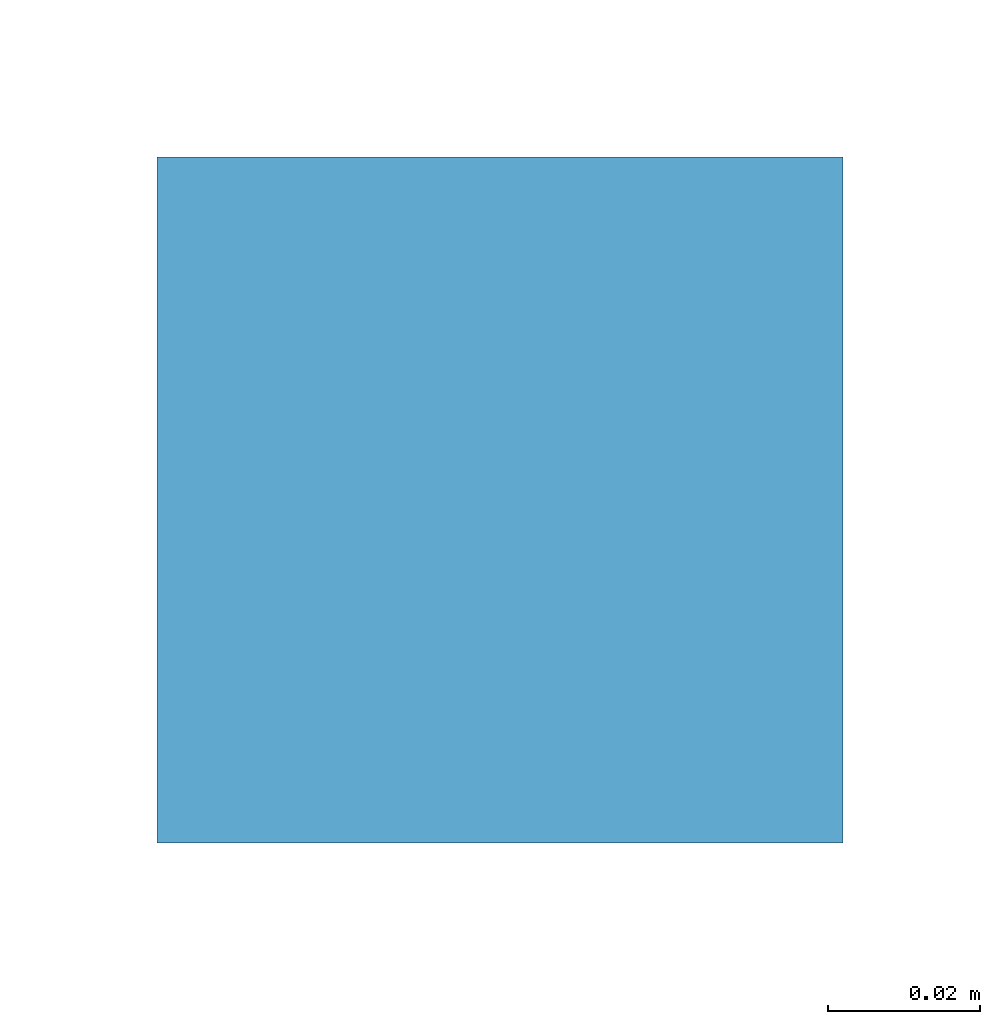
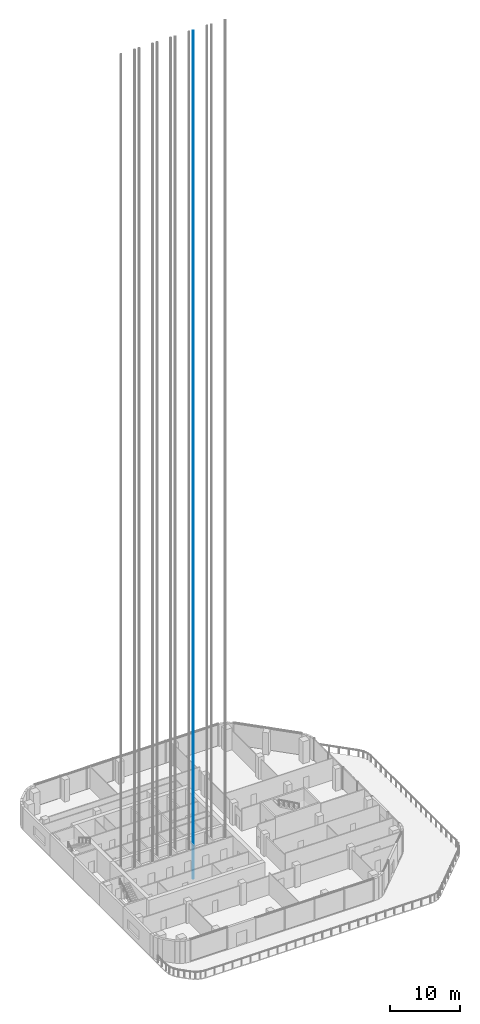
# One storey, part 14 of 29: 1 member.
"""IFC4 building model written with IfcOpenShell, lengths in metres."""

from ifc_helpers import new_model, si_unit, direction, frame, origin, origin_2d, place, context, subcontext, project, spatial, rectangle, extrude, material, material_profile, profile_set, type_object, element, save


model = new_model("IFC4")

# Units and contexts
model_context = context("Model", 3, precision=1e-05, world=origin(), true_north=direction((0.0, 1.0)))
body_context = subcontext(model_context, "Body", "Model", "MODEL_VIEW")
ifc_project = project(units=[si_unit("LENGTHUNIT", "METRE"), si_unit("AREAUNIT", "SQUARE_METRE"), si_unit("VOLUMEUNIT", "CUBIC_METRE"), si_unit("PLANEANGLEUNIT", "RADIAN"), si_unit("MASSUNIT", "GRAM", prefix="KILO")], contexts=[model_context])

# Site, building, storey
site_placement = place(None, origin())
site = spatial("IfcSite", under=ifc_project, at=site_placement, CompositionType="ELEMENT")
building_placement = place(site_placement, origin())
building = spatial("IfcBuilding", under=site, at=building_placement, Name="Cinnabar Reach Civic Tower", CompositionType="ELEMENT")
storey_placement = place(building_placement, frame((0.0, 0.0, 149.0)))
storey = spatial("IfcBuildingStorey", under=building, at=storey_placement, Name="L35", CompositionType="ELEMENT", Elevation=149.0)

# Member
ifc_material = material(Name="Steel Q355B", Category="steel")
ifc_material_profile = material_profile(ifc_material, rectangle(XDim=0.09, YDim=0.09, at=origin_2d()), Name="T1 lift guide rail")
ifc_profile_set = profile_set([ifc_material_profile], Name="Steel Q355B")
member_type = type_object("IfcMemberType", Name="T1 lift guide rail", PredefinedType="USERDEFINED", material=ifc_profile_set)
member_placement = place(storey_placement, frame((16.87, 30.0, -2.5), z_axis=(0.0, 0.0, 1.0), x_axis=(1.0, 0.0, 0.0)))
element("IfcMember", 1, at=member_placement, inside=storey, type_object=member_type, Name="T1-HR5 guide rail 1", ObjectType="GUIDE RAIL", PredefinedType="USERDEFINED", context=body_context, shape_type="SweptSolid", body=[
    extrude(rectangle(XDim=0.09, YDim=0.09, at=origin_2d()), origin(), (0.0, 0.0, 1.0), 148.5),
])

save(model, "model.ifc")
